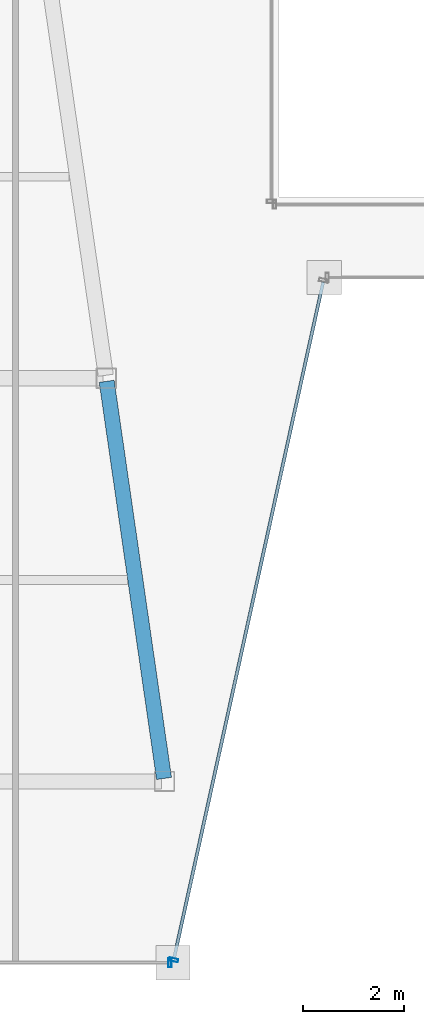
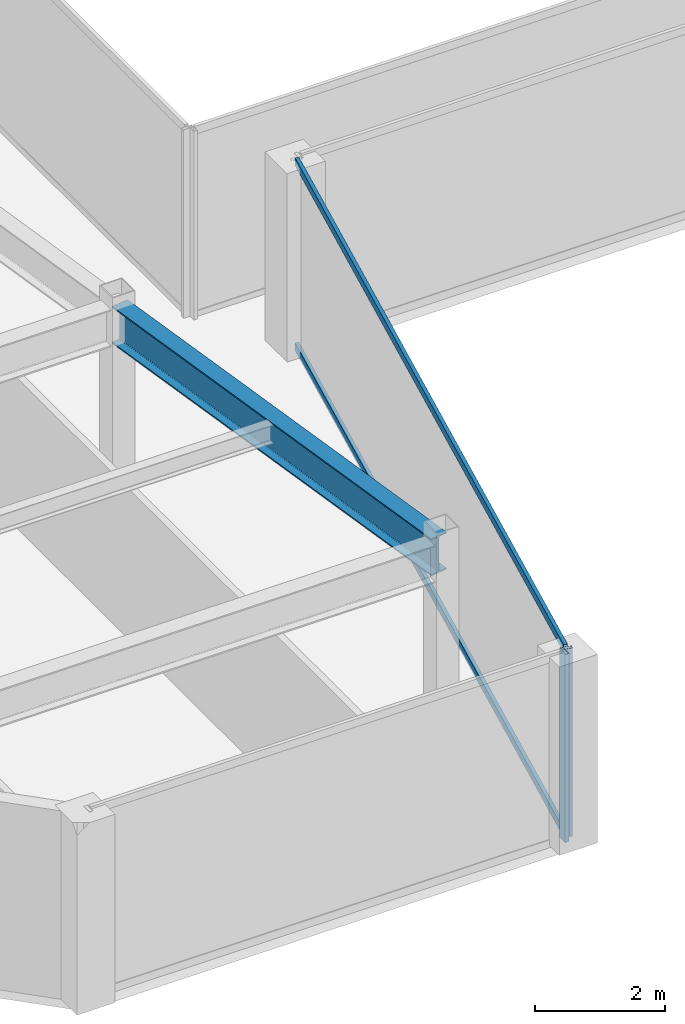
# One storey, part 6 of 36: 4 members, 1 beam, 2 elements without a shape of their own.
"""IFC4 building model written with IfcOpenShell, lengths in metres."""

from ifc_helpers import new_model, si_unit, direction, frame, origin, origin_2d, place, context, subcontext, project, spatial, hollow_rectangle, i_section, extrude, material, material_profile, profile_set, type_object, element, aggregate, save


model = new_model("IFC4")

# Units and contexts
model_context = context("Model", 3, precision=1e-05, world=origin(), true_north=direction((0.0, 1.0)))
body_context = subcontext(model_context, "Body", "Model", "MODEL_VIEW")
ifc_project = project(units=[si_unit("LENGTHUNIT", "METRE"), si_unit("AREAUNIT", "SQUARE_METRE"), si_unit("VOLUMEUNIT", "CUBIC_METRE"), si_unit("PLANEANGLEUNIT", "RADIAN"), si_unit("MASSUNIT", "GRAM", prefix="KILO")], contexts=[model_context])

# Site, building, storey
site_placement = place(None, origin())
site = spatial("IfcSite", under=ifc_project, at=site_placement, CompositionType="ELEMENT")
building_placement = place(site_placement, origin())
building = spatial("IfcBuilding", under=site, at=building_placement, Name="Saevonmaru Cultural Tower", CompositionType="ELEMENT")
storey_placement = place(building_placement, frame((0.0, 0.0, 186.60009765625)))
storey = spatial("IfcBuildingStorey", under=building, at=storey_placement, Name="L42", CompositionType="ELEMENT", Elevation=186.60009765625)

# Beam
ifc_material_1 = material(Name="Steel SM355", Category="steel")
ifc_material_profile_1 = material_profile(ifc_material_1, i_section(OverallWidth=0.300048828125, OverallDepth=0.699951171875, WebThickness=0.012939453125, FlangeThickness=0.02392578125, FilletRadius=0.02587890625, at=origin_2d()), Name="H-700x300x13x24")
ifc_profile_set_1 = profile_set([ifc_material_profile_1], Name="Steel SM355")
beam_type = type_object("IfcBeamType", Name="BM-G-H700", PredefinedType="BEAM", material=ifc_profile_set_1)
beam_placement = place(storey_placement, frame((21.91943359375, 16.059326171875, 3.199951171875), z_axis=(-0.143022161059, 0.989719486241, 0.0), x_axis=(-0.989719486241, -0.143022161059, 0.0)))
element("IfcBeam", 1, at=beam_placement, inside=storey, type_object=beam_type, Name="L42 West Atrium Girder 1", PredefinedType="BEAM", context=body_context, shape_type="SweptSolid", body=[
    extrude(i_section(OverallWidth=0.300048828125, OverallDepth=0.699951171875, WebThickness=0.012939453125, FlangeThickness=0.02392578125, FilletRadius=0.02587890625, at=origin_2d()), origin(), (0.0, 0.0, 1.0), 7.963134765625),
])

# Curtain wall, member
ifc_material_2 = material(Name="Satin Bronze Anodised Aluminium", Category="aluminium")
curtain_wall_type = type_object("IfcCurtainWallType", Name="CW-TYP-B", PredefinedType="NOTDEFINED", material=ifc_material_2)
curtain_wall_1_placement = place(storey_placement, origin())
curtain_wall_1 = element("IfcCurtainWall", 2, at=curtain_wall_1_placement, inside=storey, type_object=curtain_wall_type, Name="L42 Unitised Curtain Wall E2", PredefinedType="NOTDEFINED")
ifc_material_profile_2 = material_profile(ifc_material_2, hollow_rectangle(XDim=0.06494140625, YDim=0.179931640625, WallThickness=0.00390625, at=origin_2d()), Name="ALU-MULL-180x65x4")
ifc_profile_set_2 = profile_set([ifc_material_profile_2], Name="Satin Bronze Anodised Aluminium")
member_type_1 = type_object("IfcMemberType", Name="ML-CW-180x65", PredefinedType="MULLION", material=ifc_profile_set_2)
member_1_placement = place(storey_placement, frame((22.037841796875, 12.39990234375, 0.0), z_axis=(0.0, 0.0, 1.0), x_axis=(1.0, 0.0, 0.0)))
member_1 = element("IfcMember", 3, at=member_1_placement, type_object=member_type_1, Name="CW-TW-L42-E2 mullion 2", PredefinedType="MULLION", context=body_context, shape_type="SweptSolid", body=[
    extrude(hollow_rectangle(XDim=0.06494140625, YDim=0.179931640625, WallThickness=0.00390625, at=origin_2d()), origin(), (0.0, 0.0, 1.0), 3.5498046875),
])
aggregate(curtain_wall_1, [member_1])

# Curtain wall, members
curtain_wall_2_placement = place(storey_placement, origin())
curtain_wall_2 = element("IfcCurtainWall", 4, at=curtain_wall_2_placement, inside=storey, type_object=curtain_wall_type, Name="L42 Unitised Curtain Wall E3", PredefinedType="NOTDEFINED")
member_2_placement = place(storey_placement, frame((22.110595703125, 12.45849609375, 0.0), z_axis=(0.0, 0.0, 1.0), x_axis=(0.215413319953, 0.976522965212, 0.0)))
member_2 = element("IfcMember", 5, at=member_2_placement, type_object=member_type_1, Name="CW-TW-L42-E3 mullion 1", PredefinedType="MULLION", context=body_context, shape_type="SweptSolid", body=[
    extrude(hollow_rectangle(XDim=0.06494140625, YDim=0.179931640625, WallThickness=0.00390625, at=origin_2d()), origin(), (0.0, 0.0, 1.0), 3.5498046875),
])
ifc_material_profile_3 = material_profile(ifc_material_2, hollow_rectangle(XDim=0.06494140625, YDim=0.14990234375, WallThickness=0.00390625, at=origin_2d()), Name="ALU-TRAN-150x65x4")
ifc_profile_set_3 = profile_set([ifc_material_profile_3], Name="Satin Bronze Anodised Aluminium")
member_type_2 = type_object("IfcMemberType", Name="TR-CW-150x65", PredefinedType="USERDEFINED", material=ifc_profile_set_3)
member_3_placement = place(storey_placement, frame((22.11767578125, 12.490234375, 0.032470703125), z_axis=(0.21541214732, 0.976523223885, 0.0), x_axis=(-0.976523223885, 0.21541214732, 0.0)))
member_3 = element("IfcMember", 6, at=member_3_placement, type_object=member_type_2, Name="CW-TW-L42-E3 transom 1.1", ObjectType="TRANSOM", PredefinedType="USERDEFINED", context=body_context, shape_type="SweptSolid", body=[
    extrude(hollow_rectangle(XDim=0.06494140625, YDim=0.14990234375, WallThickness=0.00390625, at=origin_2d()), origin(), (0.0, 0.0, 1.0), 13.741943359375),
])
member_4_placement = place(storey_placement, frame((22.11767578125, 12.490234375, 3.517333984375), z_axis=(0.21541214732, 0.976523223885, 0.0), x_axis=(-0.976523223885, 0.21541214732, 0.0)))
member_4 = element("IfcMember", 7, at=member_4_placement, type_object=member_type_2, Name="CW-TW-L42-E3 transom 1.2", ObjectType="TRANSOM", PredefinedType="USERDEFINED", context=body_context, shape_type="SweptSolid", body=[
    extrude(hollow_rectangle(XDim=0.06494140625, YDim=0.14990234375, WallThickness=0.00390625, at=origin_2d()), origin(), (0.0, 0.0, 1.0), 13.741943359375),
])
aggregate(curtain_wall_2, [member_2, member_3, member_4])

save(model, "model.ifc")
